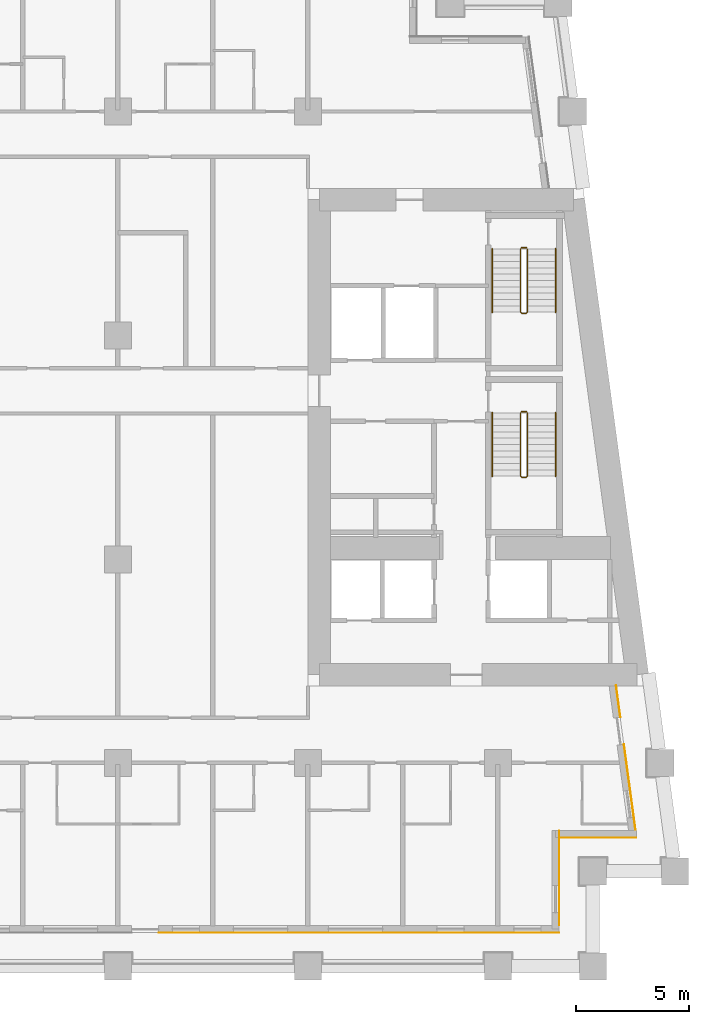
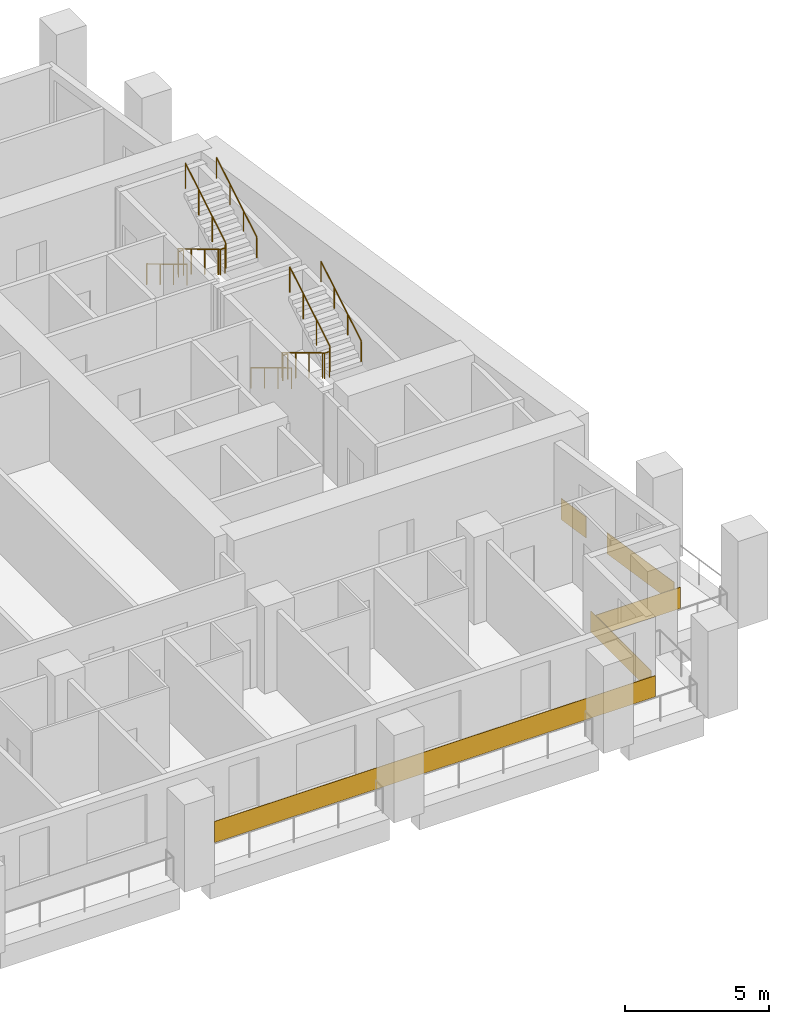
# One storey, part 12 of 14: 8 railings, 5 coverings.
"""IFC4 building model written with IfcOpenShell, lengths in metres."""

from ifc_helpers import new_model, si_unit, direction, frame, origin, origin_2d, place, context, subcontext, project, spatial, rectangle, circle, extrude, material, layer, layer_set, type_object, element, save


model = new_model("IFC4")

# Units and contexts
model_context = context("Model", 3, precision=1e-05, world=origin(), true_north=direction((0.0, 1.0)))
body_context = subcontext(model_context, "Body", "Model", "MODEL_VIEW")
ifc_project = project(units=[si_unit("LENGTHUNIT", "METRE"), si_unit("AREAUNIT", "SQUARE_METRE"), si_unit("VOLUMEUNIT", "CUBIC_METRE"), si_unit("PLANEANGLEUNIT", "RADIAN"), si_unit("MASSUNIT", "GRAM", prefix="KILO")], contexts=[model_context])

# Site, building, storey
site_placement = place(None, origin())
site = spatial("IfcSite", under=ifc_project, at=site_placement, CompositionType="ELEMENT")
building_placement = place(site_placement, origin())
building = spatial("IfcBuilding", under=site, at=building_placement, Name="Candeia Pilgrim Tower and Theatre", CompositionType="ELEMENT")
storey_placement = place(building_placement, frame((0.0, 0.0, 120.60009765625)))
storey = spatial("IfcBuildingStorey", under=building, at=storey_placement, Name="L28", CompositionType="ELEMENT", Elevation=120.60009765625)

# Coverings
ifc_material_1 = material(Name="Glazed ceramic tile red")
ifc_layer = layer(ifc_material_1, 0.02001953125)
ifc_layer_set = layer_set([ifc_layer], Name="Glazed ceramic tile red")
covering_type = type_object("IfcCoveringType", Name="Glazed ceramic tile red", PredefinedType="CLADDING", material=ifc_layer_set)
covering_1_placement = place(storey_placement, frame((128.25, 99.489990234375, 0.0), z_axis=(0.0, 0.0, 1.0), x_axis=(1.0, 0.0, 0.0)))
element("IfcCovering", 1, at=covering_1_placement, inside=storey, type_object=covering_type, Name="Tile cladding red L28", PredefinedType="CLADDING", context=body_context, shape_type="SweptSolid", body=[
    extrude(rectangle(XDim=17.699951171875, YDim=0.02001953125, at=origin_2d()), origin(), (0.0, 0.0, 1.0), 0.89990234375),
])
covering_2_placement = place(storey_placement, frame((137.110107421875, 101.909912109375, 0.0), z_axis=(0.0, 0.0, 1.0), x_axis=(0.0, 1.0, 0.0)))
element("IfcCovering", 2, at=covering_2_placement, inside=storey, type_object=covering_type, Name="Tile cladding red L28", PredefinedType="CLADDING", context=body_context, shape_type="SweptSolid", body=[
    extrude(rectangle(XDim=4.179931640625, YDim=0.02001953125, at=origin_2d()), origin(), (0.0, 0.0, 1.0), 0.89990234375),
])
covering_3_placement = place(storey_placement, frame((138.819580078125, 103.68994140625, 0.0), z_axis=(0.0, 0.0, 1.0), x_axis=(1.0, 0.0, 0.0)))
element("IfcCovering", 3, at=covering_3_placement, inside=storey, type_object=covering_type, Name="Tile cladding red L28", PredefinedType="CLADDING", context=body_context, shape_type="SweptSolid", body=[
    extrude(rectangle(XDim=3.399169921875, YDim=0.02001953125, at=origin_2d()), origin(), (0.0, 0.0, 1.0), 0.89990234375),
])
covering_4_placement = place(storey_placement, frame((140.228515625, 105.933349609375, 0.0), z_axis=(0.0, 0.0, 1.0), x_axis=(-0.133412012145, 0.991060661622, 0.0)))
element("IfcCovering", 4, at=covering_4_placement, inside=storey, type_object=covering_type, Name="Tile cladding red L28", PredefinedType="CLADDING", context=body_context, shape_type="SweptSolid", body=[
    extrude(rectangle(XDim=3.821044921875, YDim=0.02001953125, at=origin_2d()), origin(), (0.0, 0.0, 1.0), 0.89990234375),
])
covering_5_placement = place(storey_placement, frame((139.718994140625, 109.71875, 0.0), z_axis=(0.0, 0.0, 1.0), x_axis=(-0.133412012145, 0.991060661622, 0.0)))
element("IfcCovering", 5, at=covering_5_placement, inside=storey, type_object=covering_type, Name="Tile cladding red L28", PredefinedType="CLADDING", context=body_context, shape_type="SweptSolid", body=[
    extrude(rectangle(XDim=1.41796875, YDim=0.02001953125, at=origin_2d()), origin(), (0.0, 0.0, 1.0), 0.89990234375),
])

# Railings
ifc_material_2 = material(Name="Stainless steel balustrade", Category="steel")
railing_type_1 = type_object("IfcRailingType", Name="RL-GUARD-1100", PredefinedType="GUARDRAIL", material=ifc_material_2)
railing_1_placement = place(storey_placement, frame((135.39794921875, 122.47509765625, 0.16796875)))
element("IfcRailing", 6, at=railing_1_placement, inside=storey, type_object=railing_type_1, Name="L28 ST3 stair guard 1", PredefinedType="GUARDRAIL", context=body_context, shape_type="SweptSolid", body=[
    extrude(circle(Radius=0.02392578125, at=origin_2d()), frame((0.0, 0.0, 1.076171875), z_axis=(0.0, -0.857242210791, 0.514913383045), x_axis=(1.0, 0.0, 0.0)), (0.0, 0.0, 1.0), 3.266357421875),
    extrude(circle(Radius=0.02392578125, at=origin_2d()), frame((0.0, -2.800048828125, 2.7578125), z_axis=(0.707106781187, -0.707106781187, 0.0), x_axis=(0.707106781187, 0.707106781187, 0.0)), (0.0, 0.0, 1.0), 0.07080078125),
    extrude(circle(Radius=0.02392578125, at=origin_2d()), frame((0.050048828125, -2.85009765625, 2.7578125), z_axis=(1.0, 0.0, 0.0), x_axis=(0.0, 1.0, 0.0)), (0.0, 0.0, 1.0), 0.199951171875),
    extrude(circle(Radius=0.02392578125, at=origin_2d()), frame((0.25, -2.85009765625, 2.7578125), z_axis=(0.274243871929, 0.274243871929, 0.92172696468), x_axis=(-0.707106781187, 0.707106781187, 0.0)), (0.0, 0.0, 1.0), 0.1826171875),
    extrude(circle(Radius=0.02392578125, at=origin_2d()), frame((0.300048828125, -2.800048828125, 2.92626953125), z_axis=(0.0, 0.857242210791, 0.514913383045), x_axis=(-1.0, 0.0, 0.0)), (0.0, 0.0, 1.0), 3.266357421875),
    extrude(circle(Radius=0.02099609375, at=origin_2d()), origin(), (0.0, 0.0, 1.0), 1.052001953125),
    extrude(circle(Radius=0.02099609375, at=origin_2d()), frame((0.0, -0.933349609375, 0.560546875)), (0.0, 0.0, 1.0), 1.052001953125),
    extrude(circle(Radius=0.02099609375, at=origin_2d()), frame((0.0, -1.86669921875, 1.121337890625)), (0.0, 0.0, 1.0), 1.052001953125),
    extrude(circle(Radius=0.02099609375, at=origin_2d()), frame((0.0, -2.800048828125, 1.681884765625)), (0.0, 0.0, 1.0), 1.052001953125),
    extrude(circle(Radius=0.02099609375, at=origin_2d()), frame((0.050048828125, -2.85009765625, 1.681884765625)), (0.0, 0.0, 1.0), 1.052001953125),
    extrude(circle(Radius=0.02099609375, at=origin_2d()), frame((0.25, -2.85009765625, 1.681884765625)), (0.0, 0.0, 1.0), 1.052001953125),
    extrude(circle(Radius=0.02099609375, at=origin_2d()), frame((0.300048828125, -2.800048828125, 1.85009765625)), (0.0, 0.0, 1.0), 1.052001953125),
    extrude(circle(Radius=0.02099609375, at=origin_2d()), frame((0.300048828125, -1.86669921875, 2.41064453125)), (0.0, 0.0, 1.0), 1.052001953125),
    extrude(circle(Radius=0.02099609375, at=origin_2d()), frame((0.300048828125, -0.933349609375, 2.971435546875)), (0.0, 0.0, 1.0), 1.052001953125),
    extrude(circle(Radius=0.02099609375, at=origin_2d()), frame((0.300048828125, 0.0, 3.531982421875)), (0.0, 0.0, 1.0), 1.052001953125),
])
railing_2_placement = place(storey_placement, frame((135.447998046875, 122.52490234375, 0.0)))
element("IfcRailing", 7, at=railing_2_placement, inside=storey, type_object=railing_type_1, Name="L28 ST3 stair guard 2", PredefinedType="GUARDRAIL", context=body_context, shape_type="SweptSolid", body=[
    extrude(circle(Radius=0.02392578125, at=origin_2d()), frame((0.0, 0.0, 1.076171875), z_axis=(1.0, 0.0, 0.0), x_axis=(0.0, 1.0, 0.0)), (0.0, 0.0, 1.0), 0.199951171875),
    extrude(circle(Radius=0.02099609375, at=origin_2d()), origin(), (0.0, 0.0, 1.0), 1.052001953125),
    extrude(circle(Radius=0.02099609375, at=origin_2d()), frame((0.199951171875, 0.0, 0.0)), (0.0, 0.0, 1.0), 1.052001953125),
])
railing_3_placement = place(storey_placement, frame((135.39794921875, 129.72509765625, 0.16796875)))
element("IfcRailing", 8, at=railing_3_placement, inside=storey, type_object=railing_type_1, Name="L28 ST4 stair guard 1", PredefinedType="GUARDRAIL", context=body_context, shape_type="SweptSolid", body=[
    extrude(circle(Radius=0.02392578125, at=origin_2d()), frame((0.0, 0.0, 1.076171875), z_axis=(0.0, -0.857242210791, 0.514913383045), x_axis=(1.0, 0.0, 0.0)), (0.0, 0.0, 1.0), 3.266357421875),
    extrude(circle(Radius=0.02392578125, at=origin_2d()), frame((0.0, -2.800048828125, 2.7578125), z_axis=(0.707106781187, -0.707106781187, 0.0), x_axis=(0.707106781187, 0.707106781187, 0.0)), (0.0, 0.0, 1.0), 0.07080078125),
    extrude(circle(Radius=0.02392578125, at=origin_2d()), frame((0.050048828125, -2.85009765625, 2.7578125), z_axis=(1.0, 0.0, 0.0), x_axis=(0.0, 1.0, 0.0)), (0.0, 0.0, 1.0), 0.199951171875),
    extrude(circle(Radius=0.02392578125, at=origin_2d()), frame((0.25, -2.85009765625, 2.7578125), z_axis=(0.274243871929, 0.274243871929, 0.92172696468), x_axis=(-0.707106781187, 0.707106781187, 0.0)), (0.0, 0.0, 1.0), 0.1826171875),
    extrude(circle(Radius=0.02392578125, at=origin_2d()), frame((0.300048828125, -2.800048828125, 2.92626953125), z_axis=(0.0, 0.857242210791, 0.514913383045), x_axis=(-1.0, 0.0, 0.0)), (0.0, 0.0, 1.0), 3.266357421875),
    extrude(circle(Radius=0.02099609375, at=origin_2d()), origin(), (0.0, 0.0, 1.0), 1.052001953125),
    extrude(circle(Radius=0.02099609375, at=origin_2d()), frame((0.0, -0.933349609375, 0.560546875)), (0.0, 0.0, 1.0), 1.052001953125),
    extrude(circle(Radius=0.02099609375, at=origin_2d()), frame((0.0, -1.86669921875, 1.121337890625)), (0.0, 0.0, 1.0), 1.052001953125),
    extrude(circle(Radius=0.02099609375, at=origin_2d()), frame((0.0, -2.800048828125, 1.681884765625)), (0.0, 0.0, 1.0), 1.052001953125),
    extrude(circle(Radius=0.02099609375, at=origin_2d()), frame((0.050048828125, -2.85009765625, 1.681884765625)), (0.0, 0.0, 1.0), 1.052001953125),
    extrude(circle(Radius=0.02099609375, at=origin_2d()), frame((0.25, -2.85009765625, 1.681884765625)), (0.0, 0.0, 1.0), 1.052001953125),
    extrude(circle(Radius=0.02099609375, at=origin_2d()), frame((0.300048828125, -2.800048828125, 1.85009765625)), (0.0, 0.0, 1.0), 1.052001953125),
    extrude(circle(Radius=0.02099609375, at=origin_2d()), frame((0.300048828125, -1.86669921875, 2.41064453125)), (0.0, 0.0, 1.0), 1.052001953125),
    extrude(circle(Radius=0.02099609375, at=origin_2d()), frame((0.300048828125, -0.933349609375, 2.971435546875)), (0.0, 0.0, 1.0), 1.052001953125),
    extrude(circle(Radius=0.02099609375, at=origin_2d()), frame((0.300048828125, 0.0, 3.531982421875)), (0.0, 0.0, 1.0), 1.052001953125),
])
railing_4_placement = place(storey_placement, frame((135.447998046875, 129.77490234375, 0.0)))
element("IfcRailing", 9, at=railing_4_placement, inside=storey, type_object=railing_type_1, Name="L28 ST4 stair guard 2", PredefinedType="GUARDRAIL", context=body_context, shape_type="SweptSolid", body=[
    extrude(circle(Radius=0.02392578125, at=origin_2d()), frame((0.0, 0.0, 1.076171875), z_axis=(1.0, 0.0, 0.0), x_axis=(0.0, 1.0, 0.0)), (0.0, 0.0, 1.0), 0.199951171875),
    extrude(circle(Radius=0.02099609375, at=origin_2d()), origin(), (0.0, 0.0, 1.0), 1.052001953125),
    extrude(circle(Radius=0.02099609375, at=origin_2d()), frame((0.199951171875, 0.0, 0.0)), (0.0, 0.0, 1.0), 1.052001953125),
])
ifc_material_3 = material(Name="Stainless steel handrail", Category="steel")
railing_type_2 = type_object("IfcRailingType", Name="RL-HANDRAIL-900", PredefinedType="HANDRAIL", material=ifc_material_3)
railing_5_placement = place(storey_placement, frame((134.14794921875, 122.47509765625, 0.16796875)))
element("IfcRailing", 10, at=railing_5_placement, inside=storey, type_object=railing_type_2, Name="L28 ST3 stair handrail 1", PredefinedType="HANDRAIL", context=body_context, shape_type="SweptSolid", body=[
    extrude(circle(Radius=0.02392578125, at=origin_2d()), frame((0.0, 0.0, 0.8759765625), z_axis=(0.0, -0.857242210791, 0.514913383045), x_axis=(1.0, 0.0, 0.0)), (0.0, 0.0, 1.0), 3.266357421875),
    extrude(circle(Radius=0.02099609375, at=origin_2d()), origin(), (0.0, 0.0, 1.0), 0.851806640625),
    extrude(circle(Radius=0.02099609375, at=origin_2d()), frame((0.0, -0.933349609375, 0.560546875)), (0.0, 0.0, 1.0), 0.851806640625),
    extrude(circle(Radius=0.02099609375, at=origin_2d()), frame((0.0, -1.86669921875, 1.121337890625)), (0.0, 0.0, 1.0), 0.851806640625),
    extrude(circle(Radius=0.02099609375, at=origin_2d()), frame((0.0, -2.800048828125, 1.681884765625)), (0.0, 0.0, 1.0), 0.851806640625),
])
railing_6_placement = place(storey_placement, frame((136.947998046875, 119.675048828125, 2.01806640625)))
element("IfcRailing", 11, at=railing_6_placement, inside=storey, type_object=railing_type_2, Name="L28 ST3 stair handrail 2", PredefinedType="HANDRAIL", context=body_context, shape_type="SweptSolid", body=[
    extrude(circle(Radius=0.02392578125, at=origin_2d()), frame((0.0, 0.0, 0.8759765625), z_axis=(0.0, 0.857242210791, 0.514913383045), x_axis=(-1.0, 0.0, 0.0)), (0.0, 0.0, 1.0), 3.266357421875),
    extrude(circle(Radius=0.02099609375, at=origin_2d()), origin(), (0.0, 0.0, 1.0), 0.851806640625),
    extrude(circle(Radius=0.02099609375, at=origin_2d()), frame((0.0, 0.933349609375, 0.560546875)), (0.0, 0.0, 1.0), 0.851806640625),
    extrude(circle(Radius=0.02099609375, at=origin_2d()), frame((0.0, 1.86669921875, 1.121337890625)), (0.0, 0.0, 1.0), 0.851806640625),
    extrude(circle(Radius=0.02099609375, at=origin_2d()), frame((0.0, 2.800048828125, 1.681884765625)), (0.0, 0.0, 1.0), 0.851806640625),
])
railing_7_placement = place(storey_placement, frame((134.14794921875, 129.72509765625, 0.16796875)))
element("IfcRailing", 12, at=railing_7_placement, inside=storey, type_object=railing_type_2, Name="L28 ST4 stair handrail 1", PredefinedType="HANDRAIL", context=body_context, shape_type="SweptSolid", body=[
    extrude(circle(Radius=0.02392578125, at=origin_2d()), frame((0.0, 0.0, 0.8759765625), z_axis=(0.0, -0.857242210791, 0.514913383045), x_axis=(1.0, 0.0, 0.0)), (0.0, 0.0, 1.0), 3.266357421875),
    extrude(circle(Radius=0.02099609375, at=origin_2d()), origin(), (0.0, 0.0, 1.0), 0.851806640625),
    extrude(circle(Radius=0.02099609375, at=origin_2d()), frame((0.0, -0.933349609375, 0.560546875)), (0.0, 0.0, 1.0), 0.851806640625),
    extrude(circle(Radius=0.02099609375, at=origin_2d()), frame((0.0, -1.86669921875, 1.121337890625)), (0.0, 0.0, 1.0), 0.851806640625),
    extrude(circle(Radius=0.02099609375, at=origin_2d()), frame((0.0, -2.800048828125, 1.681884765625)), (0.0, 0.0, 1.0), 0.851806640625),
])
railing_8_placement = place(storey_placement, frame((136.947998046875, 126.925048828125, 2.01806640625)))
element("IfcRailing", 13, at=railing_8_placement, inside=storey, type_object=railing_type_2, Name="L28 ST4 stair handrail 2", PredefinedType="HANDRAIL", context=body_context, shape_type="SweptSolid", body=[
    extrude(circle(Radius=0.02392578125, at=origin_2d()), frame((0.0, 0.0, 0.8759765625), z_axis=(0.0, 0.857242210791, 0.514913383045), x_axis=(-1.0, 0.0, 0.0)), (0.0, 0.0, 1.0), 3.266357421875),
    extrude(circle(Radius=0.02099609375, at=origin_2d()), origin(), (0.0, 0.0, 1.0), 0.851806640625),
    extrude(circle(Radius=0.02099609375, at=origin_2d()), frame((0.0, 0.933349609375, 0.560546875)), (0.0, 0.0, 1.0), 0.851806640625),
    extrude(circle(Radius=0.02099609375, at=origin_2d()), frame((0.0, 1.86669921875, 1.121337890625)), (0.0, 0.0, 1.0), 0.851806640625),
    extrude(circle(Radius=0.02099609375, at=origin_2d()), frame((0.0, 2.800048828125, 1.681884765625)), (0.0, 0.0, 1.0), 0.851806640625),
])

save(model, "model.ifc")
